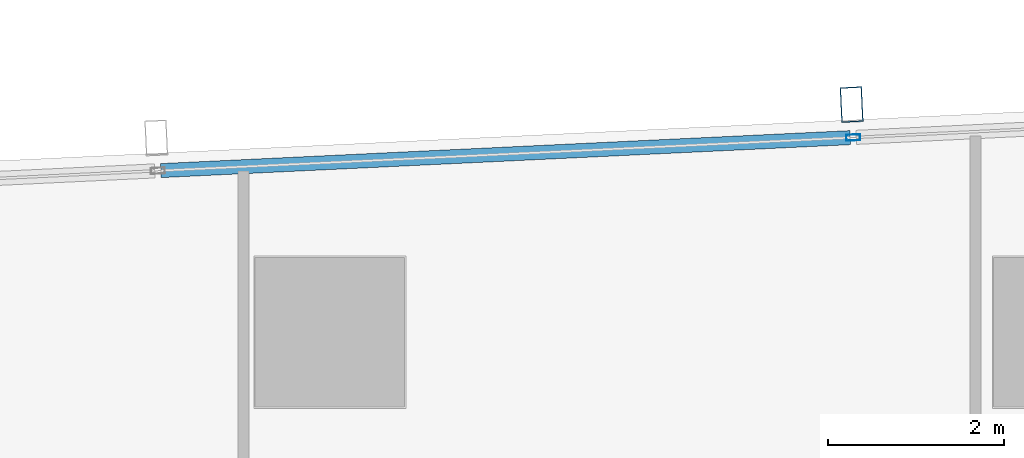
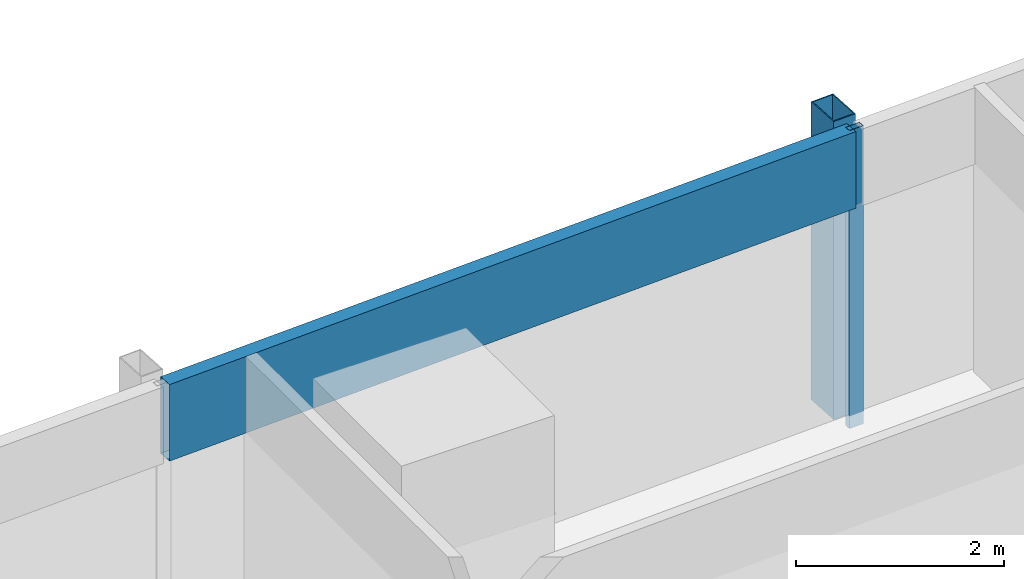
# One storey, part 18 of 39: 3 members, 1 element without a shape of its own.
"""IFC4 building model written with IfcOpenShell, lengths in metres."""

from ifc_helpers import new_model, si_unit, direction, frame, origin, origin_2d, place, context, subcontext, project, spatial, hollow_rectangle, extrude, material, material_profile, profile_set, type_object, element, aggregate, save


model = new_model("IFC4")

# Units and contexts
model_context = context("Model", 3, precision=1e-05, world=origin(), true_north=direction((0.0, 1.0)))
body_context = subcontext(model_context, "Body", "Model", "MODEL_VIEW")
ifc_project = project(units=[si_unit("LENGTHUNIT", "METRE"), si_unit("AREAUNIT", "SQUARE_METRE"), si_unit("VOLUMEUNIT", "CUBIC_METRE"), si_unit("PLANEANGLEUNIT", "RADIAN"), si_unit("MASSUNIT", "GRAM", prefix="KILO")], contexts=[model_context])

# Site, building, storey
site_placement = place(None, origin())
site = spatial("IfcSite", under=ifc_project, at=site_placement, CompositionType="ELEMENT")
building_placement = place(site_placement, origin())
building = spatial("IfcBuilding", under=site, at=building_placement, Name="Rekha Terrace Tower", CompositionType="ELEMENT")
storey_placement = place(building_placement, frame((0.0, 0.0, 183.949951171875)))
storey = spatial("IfcBuildingStorey", under=building, at=storey_placement, Name="L46", CompositionType="ELEMENT", Elevation=183.949951171875)

# Curtain wall, members
ifc_material_1 = material(Name="Aluminium framing", Category="aluminium")
curtain_wall_type = type_object("IfcCurtainWallType", Name="CW3 north unitised glazing", PredefinedType="USERDEFINED", material=ifc_material_1)
curtain_wall_placement = place(storey_placement, origin())
curtain_wall = element("IfcCurtainWall", 1, at=curtain_wall_placement, inside=storey, type_object=curtain_wall_type, Name="CW3 unitised curtain wall", ObjectType="UNITISED CURTAIN WALL", PredefinedType="USERDEFINED")
ifc_material_2 = material(Name="Steel S355 with fluorocarbon finish", Category="steel")
ifc_material_profile_1 = material_profile(ifc_material_2, hollow_rectangle(XDim=0.25, YDim=0.39990234375, WallThickness=0.012451171875, at=origin_2d()), Name="RHS400x250x12.5")
ifc_profile_set_1 = profile_set([ifc_material_profile_1], Name="Steel S355 with fluorocarbon finish")
member_type_1 = type_object("IfcMemberType", Name="BL1 facade blade RHS 400 x 250", PredefinedType="USERDEFINED", material=ifc_profile_set_1)
member_1_placement = place(storey_placement, frame((22.734130859375, 61.389404296875, 0.0), z_axis=(0.0, 0.0, 1.0), x_axis=(-0.998858913274, -0.04775846913, 0.0)))
member_1 = element("IfcMember", 2, at=member_1_placement, type_object=member_type_1, Name="Facade blade", ObjectType="FACADE BLADE", PredefinedType="USERDEFINED", context=body_context, shape_type="SweptSolid", body=[
    extrude(hollow_rectangle(XDim=0.25, YDim=0.39990234375, WallThickness=0.012451171875, at=origin_2d()), origin(), (0.0, 0.0, 1.0), 3.5),
])
ifc_material_3 = material(Name="Aluminium mullion section", Category="aluminium")
ifc_material_profile_2 = material_profile(ifc_material_3, hollow_rectangle(XDim=0.070068359375, YDim=0.159912109375, WallThickness=0.00390625, at=origin_2d()), Name="AL RHS 70x160")
ifc_profile_set_2 = profile_set([ifc_material_profile_2], Name="Aluminium mullion section")
member_type_2 = type_object("IfcMemberType", Name="CW3 mullion RHS 70 x 160", PredefinedType="MULLION", material=ifc_profile_set_2)
member_2_placement = place(storey_placement, frame((22.751953125, 61.014892578125, 0.0), z_axis=(0.0, 0.0, 1.0), x_axis=(0.047758616983, -0.998858906204, 0.0)))
member_2 = element("IfcMember", 3, at=member_2_placement, type_object=member_type_2, Name="CW3 mullion 4", PredefinedType="MULLION", context=body_context, shape_type="SweptSolid", body=[
    extrude(hollow_rectangle(XDim=0.070068359375, YDim=0.159912109375, WallThickness=0.00390625, at=origin_2d()), origin(), (0.0, 0.0, 1.0), 3.5),
])
ifc_material_4 = material(Name="Insulated aluminium spandrel box", Category="aluminium")
ifc_material_profile_3 = material_profile(ifc_material_4, hollow_rectangle(XDim=0.159912109375, YDim=0.89990234375, WallThickness=0.0029296875, at=origin_2d()), Name="AL SPANDREL BOX 160x900")
ifc_profile_set_3 = profile_set([ifc_material_profile_3], Name="Insulated aluminium spandrel box")
member_type_3 = type_object("IfcMemberType", Name="CW3 spandrel transom 160 x 900", PredefinedType="USERDEFINED", material=ifc_profile_set_3)
member_3_placement = place(storey_placement, frame((22.717041015625, 61.01318359375, 3.050048828125), z_axis=(-0.998859252362, -0.047751376635, 0.0), x_axis=(0.047751376635, -0.998859252362, 0.0)))
member_3 = element("IfcMember", 4, at=member_3_placement, type_object=member_type_3, Name="CW3 spandrel transom 4", ObjectType="TRANSOM", PredefinedType="USERDEFINED", context=body_context, shape_type="SweptSolid", body=[
    extrude(hollow_rectangle(XDim=0.159912109375, YDim=0.89990234375, WallThickness=0.0029296875, at=origin_2d()), origin(), (0.0, 0.0, 1.0), 7.84814453125),
])
aggregate(curtain_wall, [member_2, member_3, member_1])

save(model, "model.ifc")
